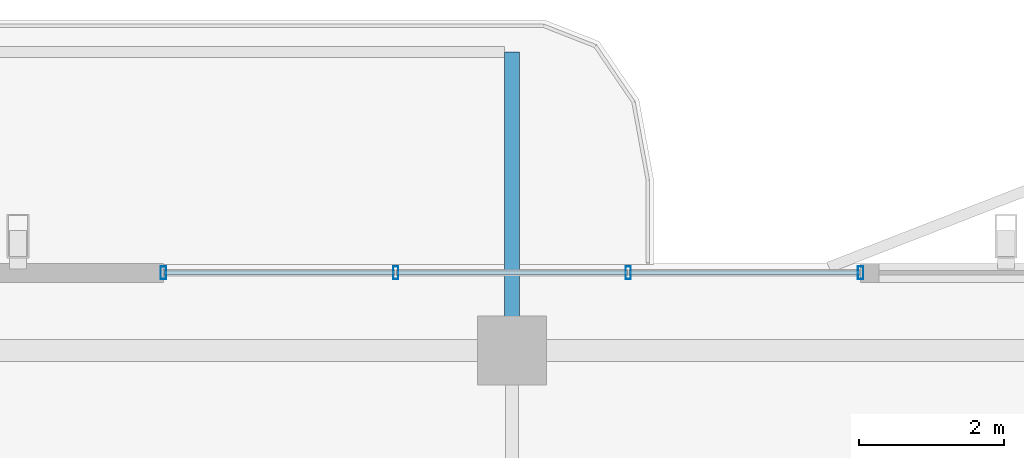
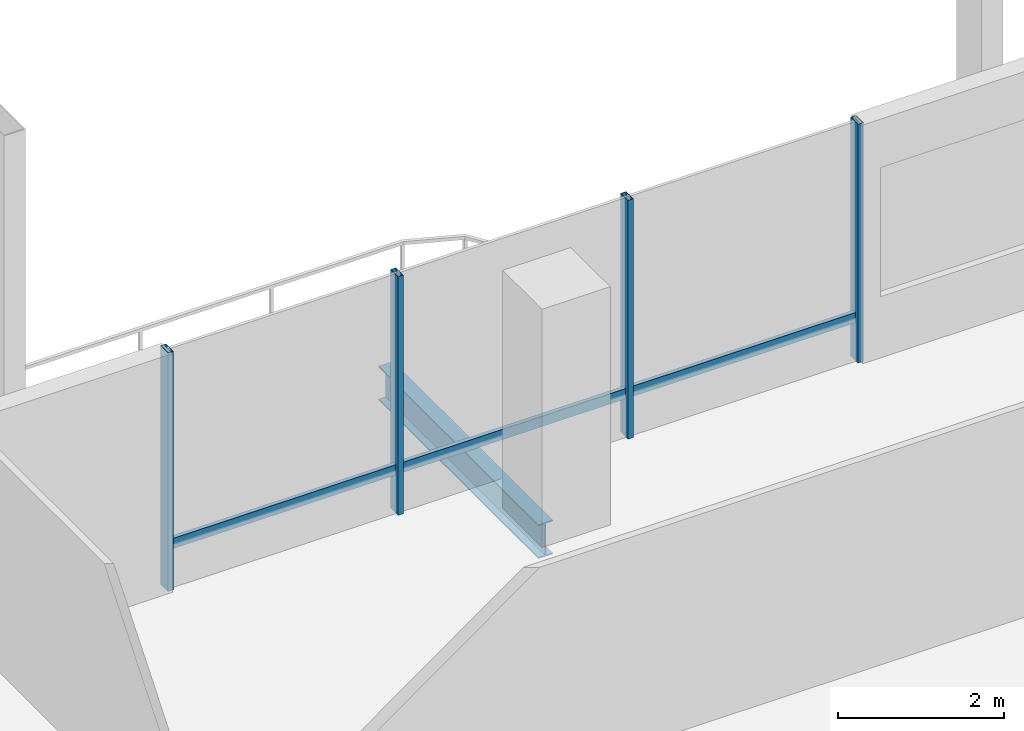
# One storey, part 11 of 20: 7 members, 1 beam, 1 element without a shape of its own.
"""IFC4 building model written with IfcOpenShell, lengths in metres."""

from ifc_helpers import new_model, si_unit, direction, frame, origin, origin_2d, place, context, subcontext, project, spatial, hollow_rectangle, i_section, extrude, material, layer, layer_set, material_profile, profile_set, type_object, element, aggregate, save


model = new_model("IFC4")

# Units and contexts
model_context = context("Model", 3, precision=1e-05, world=origin(), true_north=direction((0.0, 1.0)))
body_context = subcontext(model_context, "Body", "Model", "MODEL_VIEW")
ifc_project = project(units=[si_unit("LENGTHUNIT", "METRE"), si_unit("AREAUNIT", "SQUARE_METRE"), si_unit("VOLUMEUNIT", "CUBIC_METRE"), si_unit("PLANEANGLEUNIT", "RADIAN"), si_unit("MASSUNIT", "GRAM", prefix="KILO")], contexts=[model_context])

# Site, building, storey
site_placement = place(None, origin())
site = spatial("IfcSite", under=ifc_project, at=site_placement, CompositionType="ELEMENT")
building_placement = place(site_placement, origin())
building = spatial("IfcBuilding", under=site, at=building_placement, Name="Belovzor Exchange Tower", CompositionType="ELEMENT")
storey_placement = place(building_placement, frame((0.0, 0.0, 321.75)))
storey = spatial("IfcBuildingStorey", under=building, at=storey_placement, Name="L80", CompositionType="ELEMENT", Elevation=321.75)

# Beam
ifc_material_1 = material(Name="Steel S355", Category="steel")
ifc_material_profile_1 = material_profile(ifc_material_1, i_section(OverallWidth=0.199951171875, OverallDepth=0.5, WebThickness=0.01025390625, FlangeThickness=0.01611328125, at=origin_2d()))
ifc_profile_set_1 = profile_set([ifc_material_profile_1], Name="Steel S355")
beam_type = type_object("IfcBeamType", Name="Planted Balcony Cantilever Beam IPE 500", PredefinedType="BEAM", material=ifc_profile_set_1)
beam_placement = place(storey_placement, frame((28.800048828125, 50.660888671875, -0.489990234375), z_axis=(0.0, 1.0, 0.0), x_axis=(-1.0, 0.0, 0.0)))
element("IfcBeam", 1, at=beam_placement, inside=storey, type_object=beam_type, Name="BC-500 Planted Balcony Cantilever Beam IPE 500", PredefinedType="BEAM", context=body_context, shape_type="SweptSolid", body=[
    extrude(i_section(OverallWidth=0.199951171875, OverallDepth=0.5, WebThickness=0.01025390625, FlangeThickness=0.01611328125, at=origin_2d()), origin(), (0.0, 0.0, 1.0), 3.85009765625),
])

# Curtain wall, members
ifc_material_2 = material(Name="Anodised Aluminium Framing", Category="aluminium")
ifc_layer = layer(ifc_material_2, 0.179931640625)
ifc_layer_set = layer_set([ifc_layer], Name="Anodised Aluminium Framing")
curtain_wall_type = type_object("IfcCurtainWallType", Name="Recessed Loggia Low-Iron Triple-Glazed Curtain Wall", PredefinedType="NOTDEFINED", material=ifc_layer_set)
curtain_wall_placement = place(storey_placement, origin())
curtain_wall = element("IfcCurtainWall", 2, at=curtain_wall_placement, inside=storey, type_object=curtain_wall_type, Name="CW3 Recessed Loggia Low-Iron Triple-Glazed Curtain Wall L80", PredefinedType="NOTDEFINED")
ifc_material_3 = material(Name="Steel S355", Category="steel")
ifc_material_profile_2 = material_profile(ifc_material_3, hollow_rectangle(XDim=0.074951171875, YDim=0.179931640625, WallThickness=0.0048828125, at=origin_2d()))
ifc_profile_set_2 = profile_set([ifc_material_profile_2], Name="Steel S355")
member_type_1 = type_object("IfcMemberType", Name="Thermally Broken Curtain Wall Mullion 180x75", PredefinedType="MULLION", material=ifc_profile_set_2)
member_1_placement = place(storey_placement, frame((24.0, 51.469970703125, 0.0), z_axis=(0.0, 0.0, 1.0), x_axis=(1.0, 0.0, 0.0)))
member_1 = element("IfcMember", 3, at=member_1_placement, type_object=member_type_1, Name="CW-M180 Curtain Wall Mullion 1", PredefinedType="MULLION", context=body_context, shape_type="SweptSolid", body=[
    extrude(hollow_rectangle(XDim=0.074951171875, YDim=0.179931640625, WallThickness=0.0048828125, at=origin_2d()), origin(), (0.0, 0.0, 1.0), 3.510009765625),
])
member_2_placement = place(storey_placement, frame((27.199951171875, 51.469970703125, 0.0), z_axis=(0.0, 0.0, 1.0), x_axis=(1.0, 0.0, 0.0)))
member_2 = element("IfcMember", 4, at=member_2_placement, type_object=member_type_1, Name="CW-M180 Curtain Wall Mullion 2", PredefinedType="MULLION", context=body_context, shape_type="SweptSolid", body=[
    extrude(hollow_rectangle(XDim=0.074951171875, YDim=0.179931640625, WallThickness=0.0048828125, at=origin_2d()), origin(), (0.0, 0.0, 1.0), 3.510009765625),
])
member_3_placement = place(storey_placement, frame((30.39990234375, 51.469970703125, 0.0), z_axis=(0.0, 0.0, 1.0), x_axis=(1.0, 0.0, 0.0)))
member_3 = element("IfcMember", 5, at=member_3_placement, type_object=member_type_1, Name="CW-M180 Curtain Wall Mullion 3", PredefinedType="MULLION", context=body_context, shape_type="SweptSolid", body=[
    extrude(hollow_rectangle(XDim=0.074951171875, YDim=0.179931640625, WallThickness=0.0048828125, at=origin_2d()), origin(), (0.0, 0.0, 1.0), 3.510009765625),
])
member_4_placement = place(storey_placement, frame((33.60009765625, 51.469970703125, 0.0), z_axis=(0.0, 0.0, 1.0), x_axis=(1.0, 0.0, 0.0)))
member_4 = element("IfcMember", 6, at=member_4_placement, type_object=member_type_1, Name="CW-M180 Curtain Wall Mullion 4", PredefinedType="MULLION", context=body_context, shape_type="SweptSolid", body=[
    extrude(hollow_rectangle(XDim=0.074951171875, YDim=0.179931640625, WallThickness=0.0048828125, at=origin_2d()), origin(), (0.0, 0.0, 1.0), 3.510009765625),
])
ifc_material_4 = material(Name="Steel S355", Category="steel")
ifc_material_profile_3 = material_profile(ifc_material_4, hollow_rectangle(XDim=0.06005859375, YDim=0.14990234375, WallThickness=0.00390625, at=origin_2d()))
ifc_profile_set_3 = profile_set([ifc_material_profile_3], Name="Steel S355")
member_type_2 = type_object("IfcMemberType", Name="Thermally Broken Curtain Wall Transom 150x60", PredefinedType="USERDEFINED", material=ifc_profile_set_3)
member_5_placement = place(storey_placement, frame((24.008056640625, 51.469970703125, 0.632080078125), z_axis=(1.0, 0.0, 0.0), x_axis=(0.0, 1.0, 0.0)))
member_5 = element("IfcMember", 7, at=member_5_placement, type_object=member_type_2, Name="CW-T150 Curtain Wall Transom 1", ObjectType="TRANSOM", PredefinedType="USERDEFINED", context=body_context, shape_type="SweptSolid", body=[
    extrude(hollow_rectangle(XDim=0.06005859375, YDim=0.14990234375, WallThickness=0.00390625, at=origin_2d()), origin(), (0.0, 0.0, 1.0), 3.183837890625),
])
member_6_placement = place(storey_placement, frame((27.2080078125, 51.469970703125, 0.632080078125), z_axis=(1.0, 0.0, 0.0), x_axis=(0.0, 1.0, 0.0)))
member_6 = element("IfcMember", 8, at=member_6_placement, type_object=member_type_2, Name="CW-T150 Curtain Wall Transom 2", ObjectType="TRANSOM", PredefinedType="USERDEFINED", context=body_context, shape_type="SweptSolid", body=[
    extrude(hollow_rectangle(XDim=0.06005859375, YDim=0.14990234375, WallThickness=0.00390625, at=origin_2d()), origin(), (0.0, 0.0, 1.0), 3.18408203125),
])
member_7_placement = place(storey_placement, frame((30.407958984375, 51.469970703125, 0.632080078125), z_axis=(1.0, 0.0, 0.0), x_axis=(0.0, 1.0, 0.0)))
member_7 = element("IfcMember", 9, at=member_7_placement, type_object=member_type_2, Name="CW-T150 Curtain Wall Transom 3", ObjectType="TRANSOM", PredefinedType="USERDEFINED", context=body_context, shape_type="SweptSolid", body=[
    extrude(hollow_rectangle(XDim=0.06005859375, YDim=0.14990234375, WallThickness=0.00390625, at=origin_2d()), origin(), (0.0, 0.0, 1.0), 3.18408203125),
])
aggregate(curtain_wall, [member_1, member_2, member_3, member_4, member_5, member_6, member_7])

save(model, "model.ifc")
